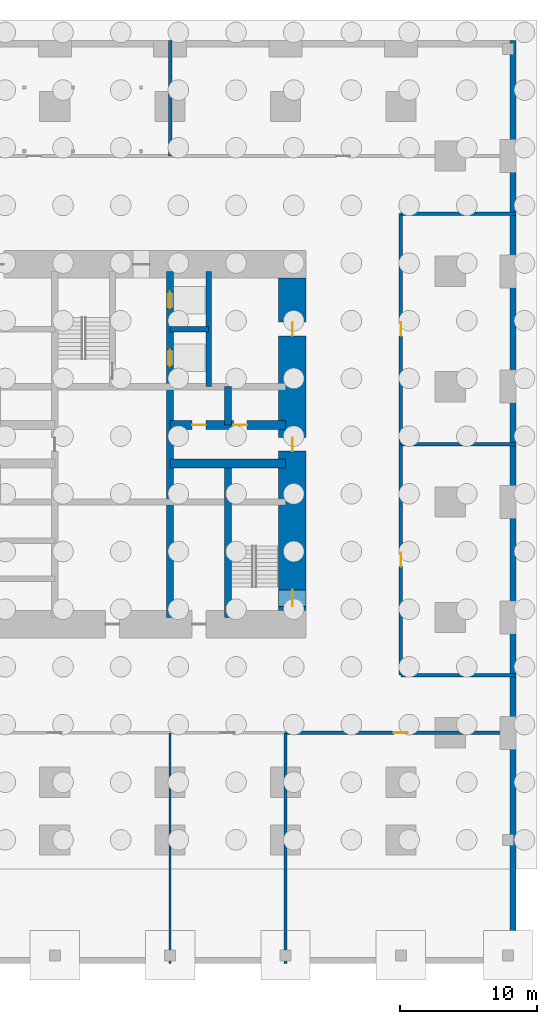
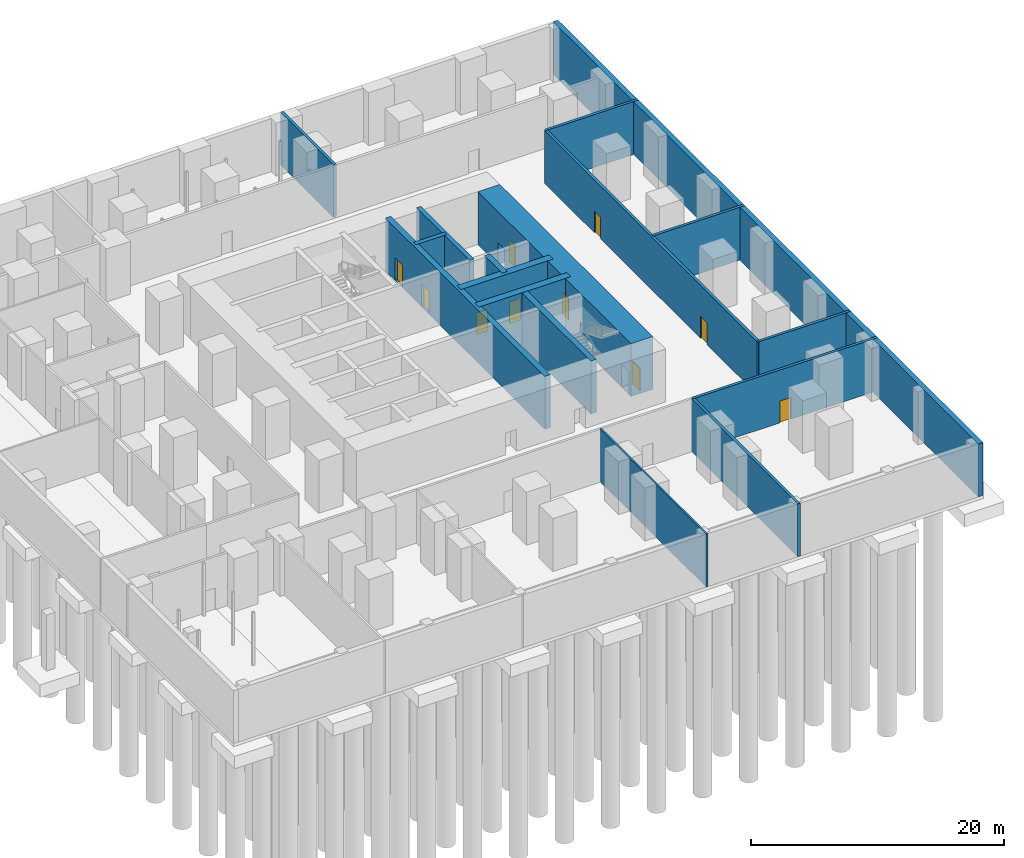
# One storey, part 15 of 18: 17 walls, 10 doors, 10 openings.
"""IFC4 building model written with IfcOpenShell, lengths in metres."""

from ifc_helpers import new_model, si_unit, direction, frame, frame_2d, origin, place, context, subcontext, project, spatial, rectangle, extrude, material, layer, layer_set, type_object, element, fill, save


model = new_model("IFC4")

# Units and contexts
model_context = context("Model", 3, precision=1e-05, world=origin(), true_north=direction((0.0, 1.0)))
body_context = subcontext(model_context, "Body", "Model", "MODEL_VIEW")
ifc_project = project(units=[si_unit("LENGTHUNIT", "METRE"), si_unit("AREAUNIT", "SQUARE_METRE"), si_unit("VOLUMEUNIT", "CUBIC_METRE"), si_unit("PLANEANGLEUNIT", "RADIAN"), si_unit("MASSUNIT", "GRAM", prefix="KILO")], contexts=[model_context])

# Site, building, storey
site_placement = place(None, origin())
site = spatial("IfcSite", under=ifc_project, at=site_placement, CompositionType="ELEMENT")
building_placement = place(site_placement, origin())
building = spatial("IfcBuilding", under=site, at=building_placement, Name="Dunama Terrace Hotel", CompositionType="ELEMENT")
storey_placement = place(building_placement, frame((0.0, 0.0, -5.39990234375)))
storey = spatial("IfcBuildingStorey", under=building, at=storey_placement, Name="B1", CompositionType="ELEMENT", Elevation=-5.39990234375)

# Walls
ifc_material_1 = material(Name="Concrete C40/50", Category="concrete")
ifc_layer_1 = layer(ifc_material_1, 0.449951171875)
ifc_layer_set_1 = layer_set([ifc_layer_1], Name="Basement retaining wall 450")
wall_type_1 = type_object("IfcWallType", Name="Basement retaining wall 450", PredefinedType="SOLIDWALL", material=ifc_layer_set_1)
wall_1_placement = place(storey_placement, frame((58.574951171875, -8.39990234375, 0.0), z_axis=(0.0, 0.0, 1.0), x_axis=(0.0, 1.0, 0.0)))
element("IfcWall", 1, at=wall_1_placement, inside=storey, type_object=wall_type_1, Name="Basement retaining wall", PredefinedType="SOLIDWALL", context=body_context, shape_type="SweptSolid", body=[
    extrude(rectangle(XDim=67.199951171875, YDim=0.449951171875, at=frame_2d((33.60009765625, 0.0))), origin(), (0.0, 0.0, 1.0), 5.099853515625),
])
ifc_material_2 = material(Name="Concrete C50/60", Category="concrete")
ifc_layer_2 = layer(ifc_material_2, 0.39990234375)
ifc_layer_set_2 = layer_set([ifc_layer_2], Name="Core inner wall 400")
wall_type_2 = type_object("IfcWallType", Name="Core inner wall 400", PredefinedType="SHEAR", material=ifc_layer_set_2)
wall_2_placement = place(storey_placement, frame((36.39990234375, 33.60009765625, 0.0), z_axis=(0.0, 0.0, 1.0), x_axis=(0.0, 1.0, 0.0)))
element("IfcWall", 2, at=wall_2_placement, inside=storey, type_object=wall_type_2, Name="Core inner wall 400 B1", PredefinedType="SHEAR", context=body_context, shape_type="SweptSolid", body=[
    extrude(rectangle(XDim=8.39990234375, YDim=0.39990234375, at=frame_2d((4.199951171875, 0.0))), origin(), (0.0, 0.0, 1.0), 5.099853515625),
])
wall_3_placement = place(storey_placement, frame((33.60009765625, 37.800048828125, 0.0), z_axis=(0.0, 0.0, 1.0), x_axis=(1.0, 0.0, 0.0)))
element("IfcWall", 3, at=wall_3_placement, inside=storey, type_object=wall_type_2, Name="Core inner wall 400 B1", PredefinedType="SHEAR", context=body_context, shape_type="SweptSolid", body=[
    extrude(rectangle(XDim=2.7998046875, YDim=0.39990234375, at=frame_2d((1.39990234375, 0.0))), origin(), (0.0, 0.0, 1.0), 5.099853515625),
])

# Wall, openings, doors
ifc_material_3 = material(Name="Concrete C50/60", Category="concrete")
ifc_layer_3 = layer(ifc_material_3, 0.5)
ifc_layer_set_3 = layer_set([ifc_layer_3], Name="Core inner wall 500")
wall_type_3 = type_object("IfcWallType", Name="Core inner wall 500", PredefinedType="SHEAR", material=ifc_layer_set_3)
wall_4_placement = place(storey_placement, frame((33.60009765625, 16.800048828125, 0.0), z_axis=(0.0, 0.0, 1.0), x_axis=(0.0, 1.0, 0.0)))
wall_4 = element("IfcWall", 4, at=wall_4_placement, inside=storey, type_object=wall_type_3, Name="Core inner wall 500 B1", PredefinedType="SHEAR", context=body_context, shape_type="SweptSolid", body=[
    extrude(rectangle(XDim=25.199951171875, YDim=0.5, at=frame_2d((12.60009765625, 0.0))), origin(), (0.0, 0.0, 1.0), 5.099853515625),
])
opening_1_placement = place(wall_4_placement, frame((22.5, 0.0, 0.0)))
opening_1 = element("IfcOpeningElement", 5, at=opening_1_placement, cuts=wall_4, Name="Opening B1-003", PredefinedType="OPENING", context=body_context, shape_type="SweptSolid", body=[
    extrude(rectangle(XDim=1.199951171875, YDim=2.199951171875, at=frame_2d((0.60009765625, 1.10009765625))), frame((0.0, 0.260009765625, 0.0), z_axis=(0.0, -1.0, 0.0), x_axis=(1.0, 0.0, 0.0)), (0.0, 0.0, 1.0), 0.52001953125),
])
opening_2_placement = place(wall_4_placement, frame((18.300048828125, 0.0, 0.0)))
opening_2 = element("IfcOpeningElement", 6, at=opening_2_placement, cuts=wall_4, Name="Opening B1-004", PredefinedType="OPENING", context=body_context, shape_type="SweptSolid", body=[
    extrude(rectangle(XDim=1.199951171875, YDim=2.199951171875, at=frame_2d((0.60009765625, 1.10009765625))), frame((0.0, 0.260009765625, 0.0), z_axis=(0.0, -1.0, 0.0), x_axis=(1.0, 0.0, 0.0)), (0.0, 0.0, 1.0), 0.52001953125),
])
ifc_material_4 = material(Name="Stainless steel lift door", Category="steel")
door_type_1 = type_object("IfcDoorType", Name="Firefighting lift landing door 1200", OperationType="DOUBLE_DOOR_SLIDING", PredefinedType="DOOR", material=ifc_material_4)
door_1_placement = place(opening_1_placement, origin())
door_1 = element("IfcDoor", 7, at=door_1_placement, inside=storey, type_object=door_type_1, Name="Landing door FL1 B1-003, type LD2", OperationType="DOUBLE_DOOR_SLIDING", OverallHeight=2.199951171875, OverallWidth=1.199951171875, PredefinedType="DOOR", context=body_context, shape_type="SweptSolid", body=[
    extrude(rectangle(XDim=1.199951171875, YDim=2.199951171875, at=frame_2d((0.60009765625, 1.10009765625))), frame((0.0, 0.02490234375, 0.0), z_axis=(0.0, -1.0, 0.0), x_axis=(1.0, 0.0, 0.0)), (0.0, 0.0, 1.0), 0.050048828125),
])
fill(opening_1, door_1)
door_2_placement = place(opening_2_placement, origin())
door_2 = element("IfcDoor", 8, at=door_2_placement, inside=storey, type_object=door_type_1, Name="Landing door FL2 B1-004, type LD2", OperationType="DOUBLE_DOOR_SLIDING", OverallHeight=2.199951171875, OverallWidth=1.199951171875, PredefinedType="DOOR", context=body_context, shape_type="SweptSolid", body=[
    extrude(rectangle(XDim=1.199951171875, YDim=2.199951171875, at=frame_2d((0.60009765625, 1.10009765625))), frame((0.0, 0.02490234375, 0.0), z_axis=(0.0, -1.0, 0.0), x_axis=(1.0, 0.0, 0.0)), (0.0, 0.0, 1.0), 0.050048828125),
])
fill(opening_2, door_2)

# Walls
wall_5_placement = place(storey_placement, frame((37.800048828125, 16.800048828125, 0.0), z_axis=(0.0, 0.0, 1.0), x_axis=(0.0, 1.0, 0.0)))
element("IfcWall", 9, at=wall_5_placement, inside=storey, type_object=wall_type_3, Name="Core inner wall 500 B1", PredefinedType="SHEAR", context=body_context, shape_type="SweptSolid", body=[
    extrude(rectangle(XDim=11.199951171875, YDim=0.5, at=frame_2d((5.60009765625, 0.0))), origin(), (0.0, 0.0, 1.0), 5.099853515625),
])
wall_6_placement = place(storey_placement, frame((37.800048828125, 30.800048828125, 0.0), z_axis=(0.0, 0.0, 1.0), x_axis=(0.0, 1.0, 0.0)))
element("IfcWall", 10, at=wall_6_placement, inside=storey, type_object=wall_type_3, Name="Core inner wall 500 B1", PredefinedType="SHEAR", context=body_context, shape_type="SweptSolid", body=[
    extrude(rectangle(XDim=2.800048828125, YDim=0.5, at=frame_2d((1.39990234375, 0.0))), origin(), (0.0, 0.0, 1.0), 5.099853515625),
])
ifc_material_5 = material(Name="Concrete C50/60", Category="concrete")
ifc_layer_4 = layer(ifc_material_5, 0.64990234375)
ifc_layer_set_4 = layer_set([ifc_layer_4], Name="Core inner wall 650")
wall_type_4 = type_object("IfcWallType", Name="Core inner wall 650", PredefinedType="SHEAR", material=ifc_layer_set_4)
wall_7_placement = place(storey_placement, frame((33.60009765625, 28.0, 0.0), z_axis=(0.0, 0.0, 1.0), x_axis=(1.0, 0.0, 0.0)))
element("IfcWall", 11, at=wall_7_placement, inside=storey, type_object=wall_type_4, Name="Core inner wall 650 B1", PredefinedType="SHEAR", context=body_context, shape_type="SweptSolid", body=[
    extrude(rectangle(XDim=8.39990234375, YDim=0.64990234375, at=frame_2d((4.199951171875, 0.0))), origin(), (0.0, 0.0, 1.0), 5.099853515625),
])

# Wall, openings, doors
wall_8_placement = place(storey_placement, frame((33.60009765625, 30.800048828125, 0.0), z_axis=(0.0, 0.0, 1.0), x_axis=(1.0, 0.0, 0.0)))
wall_8 = element("IfcWall", 12, at=wall_8_placement, inside=storey, type_object=wall_type_4, Name="Core inner wall 650 B1", PredefinedType="SHEAR", context=body_context, shape_type="SweptSolid", body=[
    extrude(rectangle(XDim=8.39990234375, YDim=0.64990234375, at=frame_2d((4.199951171875, 0.0))), origin(), (0.0, 0.0, 1.0), 5.099853515625),
])
opening_3_placement = place(wall_8_placement, frame((1.60009765625, 0.0, 0.0)))
opening_3 = element("IfcOpeningElement", 13, at=opening_3_placement, cuts=wall_8, Name="Opening B1-010", PredefinedType="OPENING", context=body_context, shape_type="SweptSolid", body=[
    extrude(rectangle(XDim=1.0, YDim=2.10009765625, at=frame_2d((0.5, 1.050048828125))), frame((0.0, 0.3349609375, 0.0), z_axis=(0.0, -1.0, 0.0), x_axis=(1.0, 0.0, 0.0)), (0.0, 0.0, 1.0), 0.669921875),
])
opening_4_placement = place(wall_8_placement, frame((4.60009765625, 0.0, 0.0)))
opening_4 = element("IfcOpeningElement", 14, at=opening_4_placement, cuts=wall_8, Name="Opening B1-011", PredefinedType="OPENING", context=body_context, shape_type="SweptSolid", body=[
    extrude(rectangle(XDim=1.0, YDim=2.10009765625, at=frame_2d((0.5, 1.050048828125))), frame((0.0, 0.3349609375, 0.0), z_axis=(0.0, -1.0, 0.0), x_axis=(1.0, 0.0, 0.0)), (0.0, 0.0, 1.0), 0.669921875),
])
ifc_material_6 = material(Name="Timber door with steel frame", Category="steel")
door_type_2 = type_object("IfcDoorType", Name="Service door 1000", OperationType="SINGLE_SWING_LEFT", PredefinedType="DOOR", material=ifc_material_6)
door_3_placement = place(opening_3_placement, origin())
door_3 = element("IfcDoor", 15, at=door_3_placement, inside=storey, type_object=door_type_2, Name="Door to service riser B1-010, type D7", OperationType="SINGLE_SWING_RIGHT", OverallHeight=2.10009765625, OverallWidth=1.0, PredefinedType="DOOR", context=body_context, shape_type="SweptSolid", body=[
    extrude(rectangle(XDim=1.0, YDim=2.10009765625, at=frame_2d((0.5, 1.050048828125))), frame((0.0, 0.02490234375, 0.0), z_axis=(0.0, -1.0, 0.0), x_axis=(1.0, 0.0, 0.0)), (0.0, 0.0, 1.0), 0.050048828125),
])
fill(opening_3, door_3)
door_4_placement = place(opening_4_placement, origin())
door_4 = element("IfcDoor", 16, at=door_4_placement, inside=storey, type_object=door_type_2, Name="Door to staff accessible wc B1-011, type D7", OperationType="SINGLE_SWING_LEFT", OverallHeight=2.10009765625, OverallWidth=1.0, PredefinedType="DOOR", context=body_context, shape_type="SweptSolid", body=[
    extrude(rectangle(XDim=1.0, YDim=2.10009765625, at=frame_2d((0.5, 1.050048828125))), frame((0.0, 0.02490234375, 0.0), z_axis=(0.0, -1.0, 0.0), x_axis=(1.0, 0.0, 0.0)), (0.0, 0.0, 1.0), 0.050048828125),
])
fill(opening_4, door_4)

ifc_material_7 = material(Name="Concrete C60/75", Category="concrete")
ifc_layer_5 = layer(ifc_material_7, 2.0)
ifc_layer_set_5 = layer_set([ifc_layer_5], Name="Core wall 2000")
wall_type_5 = type_object("IfcWallType", Name="Core wall 2000", PredefinedType="SHEAR", material=ifc_layer_set_5)
wall_9_placement = place(storey_placement, frame((42.5, 17.300048828125, 0.0), z_axis=(0.0, 0.0, 1.0), x_axis=(0.0, 1.0, 0.0)))
wall_9 = element("IfcWall", 17, at=wall_9_placement, inside=storey, type_object=wall_type_5, Name="Core wall east B1", PredefinedType="SHEAR", context=body_context, shape_type="SweptSolid", body=[
    extrude(rectangle(XDim=24.199951171875, YDim=2.0, at=frame_2d((12.10009765625, 0.0))), origin(), (0.0, 0.0, 1.0), 5.099853515625),
])
opening_5_placement = place(wall_9_placement, frame((0.300048828125, 0.0, 0.0)))
opening_5 = element("IfcOpeningElement", 18, at=opening_5_placement, cuts=wall_9, Name="Opening B1-002", PredefinedType="OPENING", context=body_context, shape_type="SweptSolid", body=[
    extrude(rectangle(XDim=1.199951171875, YDim=2.199951171875, at=frame_2d((0.60009765625, 1.10009765625))), frame((0.0, 1.010009765625, 0.0), z_axis=(0.0, -1.0, 0.0), x_axis=(1.0, 0.0, 0.0)), (0.0, 0.0, 1.0), 2.02001953125),
])
opening_6_placement = place(wall_9_placement, frame((11.60009765625, 0.0, 0.0)))
opening_6 = element("IfcOpeningElement", 19, at=opening_6_placement, cuts=wall_9, Name="Opening B1-012", PredefinedType="OPENING", context=body_context, shape_type="SweptSolid", body=[
    extrude(rectangle(XDim=1.0, YDim=2.10009765625, at=frame_2d((0.5, 1.050048828125))), frame((0.0, 1.010009765625, 0.0), z_axis=(0.0, -1.0, 0.0), x_axis=(1.0, 0.0, 0.0)), (0.0, 0.0, 1.0), 2.02001953125),
])
opening_7_placement = place(wall_9_placement, frame((20.0, 0.0, 0.0)))
opening_7 = element("IfcOpeningElement", 20, at=opening_7_placement, cuts=wall_9, Name="Opening B1-014", PredefinedType="OPENING", context=body_context, shape_type="SweptSolid", body=[
    extrude(rectangle(XDim=1.0, YDim=2.10009765625, at=frame_2d((0.5, 1.050048828125))), frame((0.0, 1.010009765625, 0.0), z_axis=(0.0, -1.0, 0.0), x_axis=(1.0, 0.0, 0.0)), (0.0, 0.0, 1.0), 2.02001953125),
])
door_5_placement = place(opening_6_placement, origin())
door_5 = element("IfcDoor", 21, at=door_5_placement, inside=storey, type_object=door_type_2, Name="Door to service lobby B1-012, type D7", OperationType="SINGLE_SWING_LEFT", OverallHeight=2.10009765625, OverallWidth=1.0, PredefinedType="DOOR", context=body_context, shape_type="SweptSolid", body=[
    extrude(rectangle(XDim=1.0, YDim=2.10009765625, at=frame_2d((0.5, 1.050048828125))), frame((0.0, 0.02490234375, 0.0), z_axis=(0.0, -1.0, 0.0), x_axis=(1.0, 0.0, 0.0)), (0.0, 0.0, 1.0), 0.050048828125),
])
fill(opening_6, door_5)
door_6_placement = place(opening_7_placement, origin())
door_6 = element("IfcDoor", 22, at=door_6_placement, inside=storey, type_object=door_type_2, Name="Door to staff locker store B1-014, type D7", OperationType="SINGLE_SWING_RIGHT", OverallHeight=2.10009765625, OverallWidth=1.0, PredefinedType="DOOR", context=body_context, shape_type="SweptSolid", body=[
    extrude(rectangle(XDim=1.0, YDim=2.10009765625, at=frame_2d((0.5, 1.050048828125))), frame((0.0, 0.02490234375, 0.0), z_axis=(0.0, -1.0, 0.0), x_axis=(1.0, 0.0, 0.0)), (0.0, 0.0, 1.0), 0.050048828125),
])
fill(opening_7, door_6)
ifc_material_8 = material(Name="Timber door with steel frame", Category="steel")
door_type_3 = type_object("IfcDoorType", Name="Stair door 1200", OperationType="SINGLE_SWING_LEFT", PredefinedType="DOOR", material=ifc_material_8)
door_7_placement = place(opening_5_placement, origin())
door_7 = element("IfcDoor", 23, at=door_7_placement, inside=storey, type_object=door_type_3, Name="Stair door ST2 B1-002, type D5", OperationType="SINGLE_SWING_LEFT", OverallHeight=2.199951171875, OverallWidth=1.199951171875, PredefinedType="DOOR", context=body_context, shape_type="SweptSolid", body=[
    extrude(rectangle(XDim=1.199951171875, YDim=2.199951171875, at=frame_2d((0.60009765625, 1.10009765625))), frame((0.0, 0.02490234375, 0.0), z_axis=(0.0, -1.0, 0.0), x_axis=(1.0, 0.0, 0.0)), (0.0, 0.0, 1.0), 0.050048828125),
])
fill(opening_5, door_7)

# Walls
ifc_material_9 = material(Name="Concrete blockwork", Category="masonry")
ifc_layer_6 = layer(ifc_material_9, 0.25)
ifc_layer_set_6 = layer_set([ifc_layer_6], Name="Plant room wall 250")
wall_type_6 = type_object("IfcWallType", Name="Plant room wall 250", PredefinedType="PARTITIONING", material=ifc_layer_set_6)
wall_10_placement = place(storey_placement, frame((33.60009765625, 50.39990234375, 0.0), z_axis=(0.0, 0.0, 1.0), x_axis=(0.0, 1.0, 0.0)))
element("IfcWall", 24, at=wall_10_placement, inside=storey, type_object=wall_type_6, Name="Plant room wall 250 B1", PredefinedType="PARTITIONING", context=body_context, shape_type="SweptSolid", body=[
    extrude(rectangle(XDim=8.400146484375, YDim=0.25, at=frame_2d((4.2001953125, 0.0))), origin(), (0.0, 0.0, 1.0), 5.099853515625),
])
wall_11_placement = place(storey_placement, frame((42.0, -8.39990234375, 0.0), z_axis=(0.0, 0.0, 1.0), x_axis=(0.0, 1.0, 0.0)))
element("IfcWall", 25, at=wall_11_placement, inside=storey, type_object=wall_type_6, Name="Plant room wall 250 B1", PredefinedType="PARTITIONING", context=body_context, shape_type="SweptSolid", body=[
    extrude(rectangle(XDim=16.7998046875, YDim=0.25, at=frame_2d((8.39990234375, 0.0))), origin(), (0.0, 0.0, 1.0), 5.099853515625),
])

# Wall, openings, doors
wall_12_placement = place(storey_placement, frame((50.39990234375, 12.60009765625, 0.0), z_axis=(0.0, 0.0, 1.0), x_axis=(0.0, 1.0, 0.0)))
wall_12 = element("IfcWall", 26, at=wall_12_placement, inside=storey, type_object=wall_type_6, Name="Plant room wall 250 B1", PredefinedType="PARTITIONING", context=body_context, shape_type="SweptSolid", body=[
    extrude(rectangle(XDim=33.599853515625, YDim=0.25, at=frame_2d((16.7998046875, 0.0))), origin(), (0.0, 0.0, 1.0), 5.099853515625),
])
opening_8_placement = place(wall_12_placement, frame((7.89990234375, 0.0, 0.0)))
opening_8 = element("IfcOpeningElement", 27, at=opening_8_placement, cuts=wall_12, Name="Opening B1-029", PredefinedType="OPENING", context=body_context, shape_type="SweptSolid", body=[
    extrude(rectangle(XDim=1.0, YDim=2.10009765625, at=frame_2d((0.5, 1.050048828125))), frame((0.0, 0.135009765625, 0.0), z_axis=(0.0, -1.0, 0.0), x_axis=(1.0, 0.0, 0.0)), (0.0, 0.0, 1.0), 0.27001953125),
])
opening_9_placement = place(wall_12_placement, frame((24.699951171875, 0.0, 0.0)))
opening_9 = element("IfcOpeningElement", 28, at=opening_9_placement, cuts=wall_12, Name="Opening B1-030", PredefinedType="OPENING", context=body_context, shape_type="SweptSolid", body=[
    extrude(rectangle(XDim=1.0, YDim=2.10009765625, at=frame_2d((0.5, 1.050048828125))), frame((0.0, 0.135009765625, 0.0), z_axis=(0.0, -1.0, 0.0), x_axis=(1.0, 0.0, 0.0)), (0.0, 0.0, 1.0), 0.27001953125),
])
door_8_placement = place(opening_8_placement, frame((1.0, 0.0, 0.0), z_axis=(0.0, 0.0, 1.0), x_axis=(-1.0, 0.0, 0.0)))
door_8 = element("IfcDoor", 29, at=door_8_placement, inside=storey, type_object=door_type_2, Name="Door to main switch room B1-029, type D7", OperationType="SINGLE_SWING_RIGHT", OverallHeight=2.10009765625, OverallWidth=1.0, PredefinedType="DOOR", context=body_context, shape_type="SweptSolid", body=[
    extrude(rectangle(XDim=1.0, YDim=2.10009765625, at=frame_2d((0.5, 1.050048828125))), frame((0.0, 0.025146484375, 0.0), z_axis=(0.0, -1.0, 0.0), x_axis=(1.0, 0.0, 0.0)), (0.0, 0.0, 1.0), 0.050048828125),
])
fill(opening_8, door_8)
door_9_placement = place(opening_9_placement, frame((1.0, 0.0, 0.0), z_axis=(0.0, 0.0, 1.0), x_axis=(-1.0, 0.0, 0.0)))
door_9 = element("IfcDoor", 30, at=door_9_placement, inside=storey, type_object=door_type_2, Name="Door to transformer room B1-030, type D7", OperationType="SINGLE_SWING_RIGHT", OverallHeight=2.10009765625, OverallWidth=1.0, PredefinedType="DOOR", context=body_context, shape_type="SweptSolid", body=[
    extrude(rectangle(XDim=1.0, YDim=2.10009765625, at=frame_2d((0.5, 1.050048828125))), frame((0.0, 0.025146484375, 0.0), z_axis=(0.0, -1.0, 0.0), x_axis=(1.0, 0.0, 0.0)), (0.0, 0.0, 1.0), 0.050048828125),
])
fill(opening_9, door_9)

# Wall, opening, door
wall_13_placement = place(storey_placement, frame((42.0, 8.39990234375, 0.0), z_axis=(0.0, 0.0, 1.0), x_axis=(1.0, 0.0, 0.0)))
wall_13 = element("IfcWall", 31, at=wall_13_placement, inside=storey, type_object=wall_type_6, Name="Plant room wall 250 B1", PredefinedType="PARTITIONING", context=body_context, shape_type="SweptSolid", body=[
    extrude(rectangle(XDim=16.800048828125, YDim=0.25, at=frame_2d((8.39990234375, 0.0))), origin(), (0.0, 0.0, 1.0), 5.099853515625),
])
opening_10_placement = place(wall_13_placement, frame((7.89990234375, 0.0, 0.0)))
opening_10 = element("IfcOpeningElement", 32, at=opening_10_placement, cuts=wall_13, Name="Opening B1-021", PredefinedType="OPENING", context=body_context, shape_type="SweptSolid", body=[
    extrude(rectangle(XDim=1.0, YDim=2.10009765625, at=frame_2d((0.5, 1.050048828125))), frame((0.0, 0.135009765625, 0.0), z_axis=(0.0, -1.0, 0.0), x_axis=(1.0, 0.0, 0.0)), (0.0, 0.0, 1.0), 0.27001953125),
])
door_10_placement = place(opening_10_placement, frame((1.0, 0.0, 0.0), z_axis=(0.0, 0.0, 1.0), x_axis=(-1.0, 0.0, 0.0)))
door_10 = element("IfcDoor", 33, at=door_10_placement, inside=storey, type_object=door_type_2, Name="Door to generator room B1-021, type D7", OperationType="SINGLE_SWING_RIGHT", OverallHeight=2.10009765625, OverallWidth=1.0, PredefinedType="DOOR", context=body_context, shape_type="SweptSolid", body=[
    extrude(rectangle(XDim=1.0, YDim=2.10009765625, at=frame_2d((0.5, 1.050048828125))), frame((0.0, 0.025146484375, 0.0), z_axis=(0.0, -1.0, 0.0), x_axis=(1.0, 0.0, 0.0)), (0.0, 0.0, 1.0), 0.050048828125),
])
fill(opening_10, door_10)

# Walls
for number, where, z_axis, x_axis, name in (
    (34, (50.39990234375, 12.60009765625, 0.0), (0.0, 0.0, 1.0), (1.0, 0.0, 0.0), "Plant room wall 250 B1"),
    (35, (50.39990234375, 29.39990234375, 0.0), (0.0, 0.0, 1.0), (1.0, 0.0, 0.0), "Plant room wall 250 B1"),
    (36, (50.39990234375, 46.199951171875, 0.0), (0.0, 0.0, 1.0), (1.0, 0.0, 0.0), "Plant room wall 250 B1"),
):
    element("IfcWall", number, at=place(storey_placement, frame(where, z_axis=z_axis, x_axis=x_axis)), inside=storey, type_object=wall_type_6, Name=name, PredefinedType="PARTITIONING", context=body_context, shape_type="SweptSolid", body=[
        extrude(rectangle(XDim=8.400146484375, YDim=0.25, at=frame_2d((4.2001953125, 0.0))), origin(), (0.0, 0.0, 1.0), 5.099853515625),
    ])
ifc_material_10 = material(Name="Gypsum board partition", Category="masonry")
ifc_layer_7 = layer(ifc_material_10, 0.14990234375)
ifc_layer_set_7 = layer_set([ifc_layer_7], Name="Room partition 150")
wall_type_7 = type_object("IfcWallType", Name="Room partition 150", PredefinedType="PARTITIONING", material=ifc_layer_set_7)
wall_14_placement = place(storey_placement, frame((33.60009765625, -8.39990234375, 0.0), z_axis=(0.0, 0.0, 1.0), x_axis=(0.0, 1.0, 0.0)))
element("IfcWall", 37, at=wall_14_placement, inside=storey, type_object=wall_type_7, Name="Room partition 150 B1", PredefinedType="PARTITIONING", context=body_context, shape_type="SweptSolid", body=[
    extrude(rectangle(XDim=16.7998046875, YDim=0.14990234375, at=frame_2d((8.39990234375, 0.0))), origin(), (0.0, 0.0, 1.0), 5.099853515625),
])

save(model, "model.ifc")
